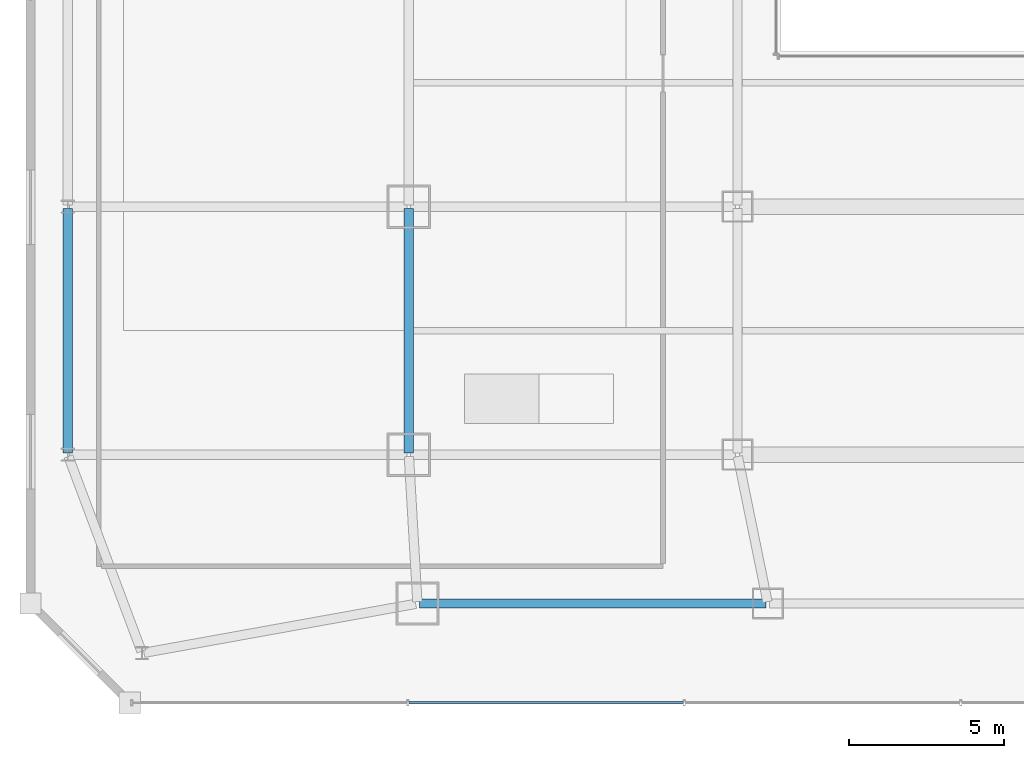
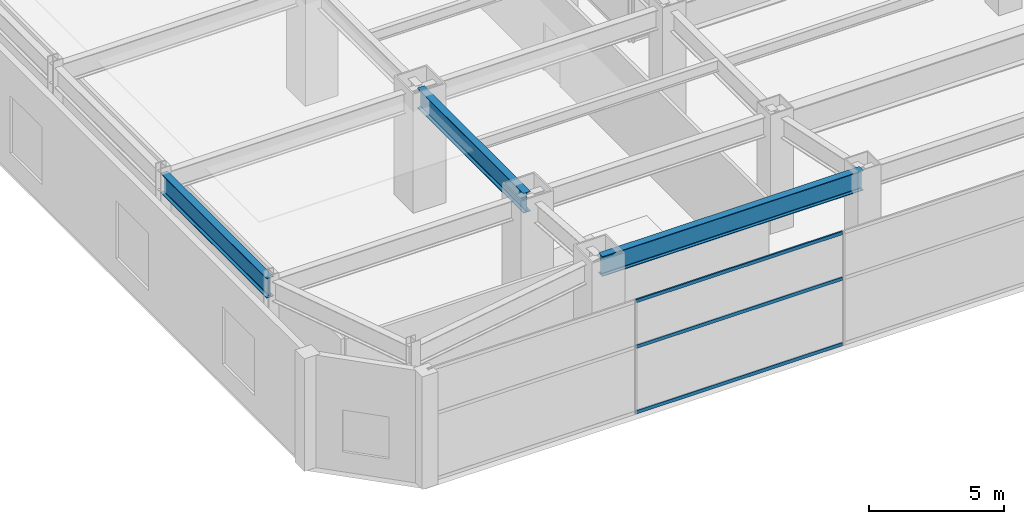
# One storey, part 9 of 52: 3 beams, 3 members, 1 element without a shape of its own.
"""IFC4 building model written with IfcOpenShell, lengths in metres."""

from ifc_helpers import new_model, si_unit, direction, frame, origin, origin_2d, place, context, subcontext, project, spatial, hollow_rectangle, i_section, extrude, material, material_profile, profile_set, type_object, element, aggregate, save


model = new_model("IFC4")

# Units and contexts
model_context = context("Model", 3, precision=1e-05, world=origin(), true_north=direction((0.0, 1.0)))
body_context = subcontext(model_context, "Body", "Model", "MODEL_VIEW")
ifc_project = project(units=[si_unit("LENGTHUNIT", "METRE"), si_unit("AREAUNIT", "SQUARE_METRE"), si_unit("VOLUMEUNIT", "CUBIC_METRE"), si_unit("PLANEANGLEUNIT", "RADIAN"), si_unit("MASSUNIT", "GRAM", prefix="KILO")], contexts=[model_context])

# Site, building, storey
site_placement = place(None, origin())
site = spatial("IfcSite", under=ifc_project, at=site_placement, CompositionType="ELEMENT")
building_placement = place(site_placement, origin())
building = spatial("IfcBuilding", under=site, at=building_placement, Name="Saevonmaru Cultural Tower", CompositionType="ELEMENT")
storey_placement = place(building_placement, frame((0.0, 0.0, 11.39990234375)))
storey = spatial("IfcBuildingStorey", under=building, at=storey_placement, Name="L02", CompositionType="ELEMENT", Elevation=11.39990234375)

# Beams
ifc_material_1 = material(Name="Steel SM420", Category="steel")
ifc_material_profile_1 = material_profile(ifc_material_1, i_section(OverallWidth=0.300048828125, OverallDepth=0.89990234375, WebThickness=0.01611328125, FlangeThickness=0.028076171875, FilletRadius=0.028076171875, at=origin_2d()), Name="H-900x300x16x28")
ifc_profile_set_1 = profile_set([ifc_material_profile_1], Name="Steel SM420")
beam_type = type_object("IfcBeamType", Name="BM-G-H900", PredefinedType="BEAM", material=ifc_profile_set_1)
beam_1_placement = place(storey_placement, frame((12.199951171875, 8.06005859375, 4.650146484375), z_axis=(0.0, 1.0, 0.0), x_axis=(-1.0, 0.0, 0.0)))
element("IfcBeam", 1, at=beam_1_placement, inside=storey, type_object=beam_type, Name="L02 Podium Girder NS1-2", PredefinedType="BEAM", context=body_context, shape_type="SweptSolid", body=[
    extrude(i_section(OverallWidth=0.300048828125, OverallDepth=0.89990234375, WebThickness=0.01611328125, FlangeThickness=0.028076171875, FilletRadius=0.028076171875, at=origin_2d()), origin(), (0.0, 0.0, 1.0), 7.8798828125),
])
beam_2_placement = place(storey_placement, frame((12.5400390625, 3.199951171875, 4.650146484375), z_axis=(1.0, 0.0, 0.0), x_axis=(0.0, 1.0, 0.0)))
element("IfcBeam", 2, at=beam_2_placement, inside=storey, type_object=beam_type, Name="BM-POD-EW-W-0-L02", PredefinedType="BEAM", context=body_context, shape_type="SweptSolid", body=[
    extrude(i_section(OverallWidth=0.300048828125, OverallDepth=0.89990234375, WebThickness=0.01611328125, FlangeThickness=0.028076171875, FilletRadius=0.028076171875, at=origin_2d()), origin(), (0.0, 0.0, 1.0), 11.179931640625),
])
beam_3_placement = place(storey_placement, frame((1.199951171875, 8.06005859375, 4.650146484375), z_axis=(0.0, 1.0, 0.0), x_axis=(-1.0, 0.0, 0.0)))
element("IfcBeam", 3, at=beam_3_placement, inside=storey, type_object=beam_type, Name="BM-POD-PW-1-L02", PredefinedType="BEAM", context=body_context, shape_type="SweptSolid", body=[
    extrude(i_section(OverallWidth=0.300048828125, OverallDepth=0.89990234375, WebThickness=0.01611328125, FlangeThickness=0.028076171875, FilletRadius=0.028076171875, at=origin_2d()), origin(), (0.0, 0.0, 1.0), 7.8798828125),
])

# Curtain wall, members
ifc_material_2 = material(Name="Satin Bronze Anodised Aluminium", Category="aluminium")
curtain_wall_type = type_object("IfcCurtainWallType", Name="CW-POD-GLZ", PredefinedType="NOTDEFINED", material=ifc_material_2)
curtain_wall_placement = place(storey_placement, origin())
curtain_wall = element("IfcCurtainWall", 4, at=curtain_wall_placement, inside=storey, type_object=curtain_wall_type, Name="L02 South Grand Foyer Curtain Wall", PredefinedType="NOTDEFINED")
ifc_material_profile_2 = material_profile(ifc_material_2, hollow_rectangle(XDim=0.06494140625, YDim=0.14990234375, WallThickness=0.00390625, at=origin_2d()), Name="ALU-TRAN-150x65x4")
ifc_profile_set_2 = profile_set([ifc_material_profile_2], Name="Satin Bronze Anodised Aluminium")
member_type = type_object("IfcMemberType", Name="TR-CW-150x65", PredefinedType="USERDEFINED", material=ifc_profile_set_2)
member_1_placement = place(storey_placement, frame((12.205810546875, 0.0, 0.03271484375), z_axis=(1.0, 0.0, 0.0), x_axis=(0.0, 1.0, 0.0)))
member_1 = element("IfcMember", 5, at=member_1_placement, type_object=member_type, Name="CW-POD-S-L02 transom 2.1", ObjectType="TRANSOM", PredefinedType="USERDEFINED", context=body_context, shape_type="SweptSolid", body=[
    extrude(hollow_rectangle(XDim=0.06494140625, YDim=0.14990234375, WallThickness=0.00390625, at=origin_2d()), origin(), (0.0, 0.0, 1.0), 8.848388671875),
])
member_2_placement = place(storey_placement, frame((12.205810546875, 0.0, 3.0), z_axis=(1.0, 0.0, 0.0), x_axis=(0.0, 1.0, 0.0)))
member_2 = element("IfcMember", 6, at=member_2_placement, type_object=member_type, Name="CW-POD-S-L02 transom 2.2", ObjectType="TRANSOM", PredefinedType="USERDEFINED", context=body_context, shape_type="SweptSolid", body=[
    extrude(hollow_rectangle(XDim=0.06494140625, YDim=0.14990234375, WallThickness=0.00390625, at=origin_2d()), origin(), (0.0, 0.0, 1.0), 8.848388671875),
])
member_3_placement = place(storey_placement, frame((12.205810546875, 0.0, 5.067626953125), z_axis=(1.0, 0.0, 0.0), x_axis=(0.0, 1.0, 0.0)))
member_3 = element("IfcMember", 7, at=member_3_placement, type_object=member_type, Name="CW-POD-S-L02 transom 2.3", ObjectType="TRANSOM", PredefinedType="USERDEFINED", context=body_context, shape_type="SweptSolid", body=[
    extrude(hollow_rectangle(XDim=0.06494140625, YDim=0.14990234375, WallThickness=0.00390625, at=origin_2d()), origin(), (0.0, 0.0, 1.0), 8.848388671875),
])
aggregate(curtain_wall, [member_1, member_2, member_3])

save(model, "model.ifc")
